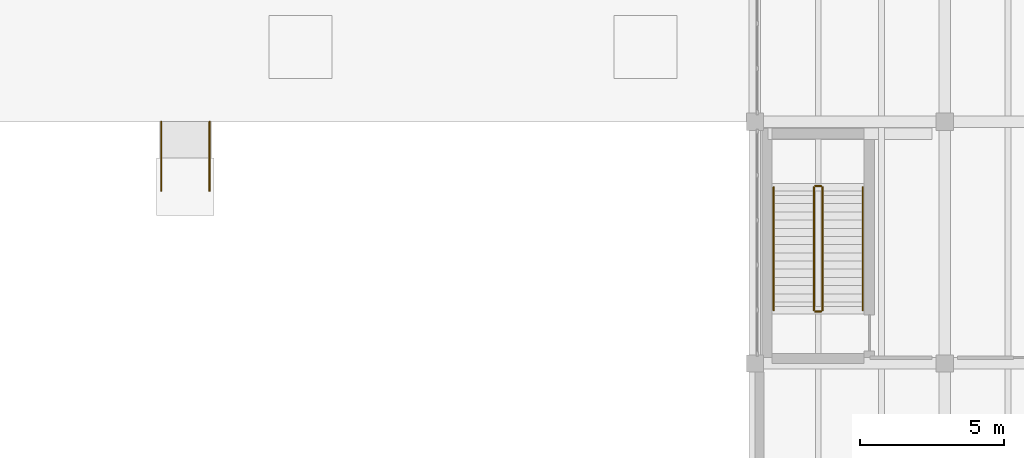
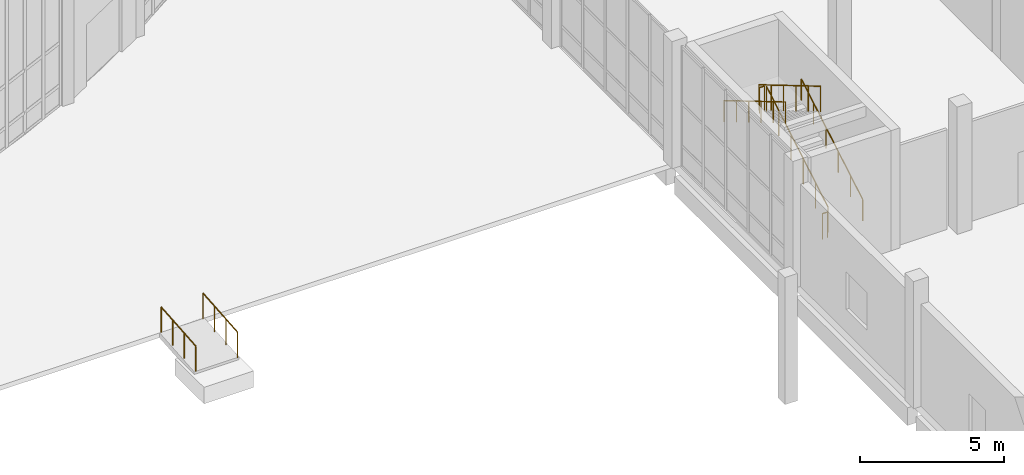
# One storey, part 64 of 64: 8 railings.
"""IFC4 building model written with IfcOpenShell, lengths in metres."""

import ifcopenshell
import ifcopenshell.guid

model = None  # the IFC model being written
_history = None  # IfcOwnerHistory: only IFC2X3 demands one
_inside = {}  # id of a spatial element -> (the spatial element, [elements in it])
_under = {}  # id of a project, library or spatial element -> (it, [spatial elements below it])
_declared = {}  # id of a project -> (the project, [libraries it declares])
_typed = {}  # id of a type object -> (the type object, [elements of that type])
_made_of = {}  # id of a material, layer set ... -> (it, [elements and type objects made of it])


def new_model(schema):
    """Start an empty IFC model of exactly this schema.

    Asked for "IFC4X3", IfcOpenShell would pick the latest addendum, in which some entities
    have other attributes; the version numbers below select the first issue.
    IFC2X3 requires an IfcOwnerHistory on every rooted entity: one is made here for all.
    """
    global model, _history
    if schema == "IFC4X3":
        model = ifcopenshell.file(schema_version=(4, 3, 0, 0))
    else:
        model = ifcopenshell.file(schema=schema)
    _inside.clear()
    _under.clear()
    _declared.clear()
    _typed.clear()
    _made_of.clear()
    _history = None
    if model.schema == "IFC2X3":
        org = make("IfcOrganization", Name="unknown")
        user = make(
            "IfcPersonAndOrganization",
            ThePerson=make("IfcPerson", FamilyName="unknown"),
            TheOrganization=org,
        )
        app = make(
            "IfcApplication",
            ApplicationDeveloper=org,
            Version="unknown",
            ApplicationFullName="unknown",
            ApplicationIdentifier="unknown",
        )
        _history = make(
            "IfcOwnerHistory",
            OwningUser=user,
            OwningApplication=app,
            ChangeAction="ADDED",
            CreationDate=0,
        )
    return model


def make(cls, **values):
    """One entity of the class cls with the attributes given. An attribute that is None is left unset."""
    return model.create_entity(
        cls, **{name: value for name, value in values.items() if value is not None}
    )


def rooted(cls, **values):
    """An entity with a GlobalId (a new one), such as an element, a storey or a relation."""
    return make(cls, GlobalId=ifcopenshell.guid.new(), OwnerHistory=_history, **values)


def si_unit(unit_type, name, prefix=None):
    """IfcSIUnit, for example si_unit("LENGTHUNIT", "METRE", prefix="MILLI")."""
    return make("IfcSIUnit", UnitType=unit_type, Prefix=prefix, Name=name)


def assignment(units):
    """IfcUnitAssignment: the units of a project."""
    return None if units is None else make("IfcUnitAssignment", Units=units)


def point(xyz):
    """IfcCartesianPoint."""
    return None if xyz is None else make("IfcCartesianPoint", Coordinates=xyz)


def direction(xyz):
    """IfcDirection."""
    return None if xyz is None else make("IfcDirection", DirectionRatios=xyz)


def frame(location, z_axis=None, x_axis=None):
    """IfcAxis2Placement3D, a coordinate frame: its origin and axes. An axis left out is left unset."""
    return make(
        "IfcAxis2Placement3D",
        Location=point(location),
        Axis=direction(z_axis),
        RefDirection=direction(x_axis),
    )


def frame_2d(location, x_axis=None):
    """IfcAxis2Placement2D, a coordinate frame in the plane: its origin and x axis."""
    return make(
        "IfcAxis2Placement2D", Location=point(location), RefDirection=direction(x_axis)
    )


def origin():
    """The frame at (0, 0, 0) with its axes left unset."""
    return frame((0.0, 0.0, 0.0))


def origin_2d():
    """The frame at (0, 0) in the plane with its x axis left unset."""
    return frame_2d((0.0, 0.0))


def place(relative_to, where):
    """IfcLocalPlacement: puts the frame where relative to a parent placement (None: the world)."""
    return make(
        "IfcLocalPlacement", PlacementRelTo=relative_to, RelativePlacement=where
    )


def context(
    kind, dimensions, precision=None, world=None, true_north=None, identifier=None
):
    """IfcGeometricRepresentationContext, for example the 3D "Model" context."""
    return make(
        "IfcGeometricRepresentationContext",
        ContextIdentifier=identifier,
        ContextType=kind,
        CoordinateSpaceDimension=dimensions,
        Precision=precision,
        WorldCoordinateSystem=world,
        TrueNorth=true_north,
    )


def subcontext(parent, identifier, kind, view, scale=None):
    """IfcGeometricRepresentationSubContext, for example "Body" below "Model"."""
    return make(
        "IfcGeometricRepresentationSubContext",
        ContextIdentifier=identifier,
        ContextType=kind,
        ParentContext=parent,
        TargetScale=scale,
        TargetView=view,
    )


def project(units=None, contexts=None):
    """IfcProject with its units and contexts."""
    return rooted(
        "IfcProject",
        Name="project",
        RepresentationContexts=contexts,
        UnitsInContext=assignment(units),
    )


def spatial(cls, under=None, at=None, **own):
    """A site, building, storey or space (cls), placed at a placement, below another one or the project."""
    s = rooted(cls, ObjectPlacement=at, **own)
    if under is not None:
        _under.setdefault(under.id(), (under, []))[1].append(s)
    return s


def profile(cls, at=None, kind="AREA", **sizes):
    """A parametric profile (cls). Its sizes go by their IFC names, for example OverallWidth=200.0."""
    return make(cls, ProfileType=kind, Position=at, **sizes)


def circle(**sizes):
    """IfcCircleProfileDef."""
    return profile("IfcCircleProfileDef", **sizes)


def extrude(swept, where, along, depth):
    """IfcExtrudedAreaSolid: the profile swept, set in the frame where, extruded along a direction by depth."""
    return make(
        "IfcExtrudedAreaSolid",
        SweptArea=swept,
        Position=where,
        ExtrudedDirection=direction(along),
        Depth=depth,
    )


def shape(context_of_items, identifier, shape_type, items):
    """IfcShapeRepresentation: the items that make up one representation, for example the "Body"."""
    return make(
        "IfcShapeRepresentation",
        ContextOfItems=context_of_items,
        RepresentationIdentifier=identifier,
        RepresentationType=shape_type,
        Items=items,
    )


def material(Name=None, Category=None):
    """IfcMaterial."""
    return make("IfcMaterial", Name=Name, Category=Category)


def made_of(thing, what):
    """Note that an element or type object is made of a material, layer set ...; save() writes the relation."""
    if what is not None:
        _made_of.setdefault(what.id(), (what, []))[1].append(thing)
    return thing


def type_object(cls, material=None, **own):
    """A type object (cls), such as IfcWallType, which elements share."""
    return made_of(rooted(cls, **own), material)


def element(
    cls,
    number,
    at=None,
    inside=None,
    cuts=None,
    type_object=None,
    material=None,
    context=None,
    identifier="Body",
    shape_type=None,
    held_by="IfcProductDefinitionShape",
    body=None,
    shapes=None,
    **own,
):
    """One element of the class cls, such as IfcWall. Its Tag is "e" and its number.

    at: its placement. inside: the storey or other place that contains it. cuts: it is an
    opening in that element (IfcRelVoidsElement). A single representation is given by context,
    identifier, shape_type and body (its items); several are given by shapes. held_by: the class
    of the entity that holds the representations. save() writes the other relations.
    """
    e = rooted(cls, Tag="e%d" % number, ObjectPlacement=at, **own)
    if body is not None:
        shapes = [shape(context, identifier, shape_type, body)]
    if shapes is not None:
        e.Representation = make(held_by, Representations=shapes)
    if inside is not None:
        _inside.setdefault(inside.id(), (inside, []))[1].append(e)
    if cuts is not None:
        rooted(
            "IfcRelVoidsElement", RelatingBuildingElement=cuts, RelatedOpeningElement=e
        )
    if type_object is not None:
        _typed.setdefault(type_object.id(), (type_object, []))[1].append(e)
    return made_of(e, material)


def aggregate(whole, parts):
    """IfcRelAggregates: a whole, such as a stair, and the parts it consists of."""
    return rooted("IfcRelAggregates", RelatingObject=whole, RelatedObjects=parts)


def save(model, path):
    """Write the relations noted so far, then the file.

    IfcRelAggregates (storeys below a building ...), IfcRelContainedInSpatialStructure (elements
    in a storey), IfcRelDefinesByType, IfcRelAssociatesMaterial and IfcRelDeclares: one each for
    every whole, place, type object, material and project.
    """
    for whole, parts in _under.values():
        aggregate(whole, parts)
    for where, things in _inside.values():
        rooted(
            "IfcRelContainedInSpatialStructure",
            RelatedElements=things,
            RelatingStructure=where,
        )
    for kind, things in _typed.values():
        rooted("IfcRelDefinesByType", RelatedObjects=things, RelatingType=kind)
    for what, things in _made_of.values():
        rooted("IfcRelAssociatesMaterial", RelatedObjects=things, RelatingMaterial=what)
    for by, libraries in _declared.values():
        rooted("IfcRelDeclares", RelatingContext=by, RelatedDefinitions=libraries)
    model.write(path)


model = new_model("IFC4")

# Units and contexts
model_context = context("Model", 3, precision=1e-05, world=origin(), true_north=direction((0.0, 1.0)))
body_context = subcontext(model_context, "Body", "Model", "MODEL_VIEW")
ifc_project = project(units=[si_unit("LENGTHUNIT", "METRE"), si_unit("AREAUNIT", "SQUARE_METRE"), si_unit("VOLUMEUNIT", "CUBIC_METRE"), si_unit("PLANEANGLEUNIT", "RADIAN"), si_unit("MASSUNIT", "GRAM", prefix="KILO")], contexts=[model_context])

# Site, building, storey
site_placement = place(None, origin())
site = spatial("IfcSite", under=ifc_project, at=site_placement, CompositionType="ELEMENT")
building_placement = place(site_placement, origin())
building = spatial("IfcBuilding", under=site, at=building_placement, Name="Qaldarim Faculty of Natural and Applied Sciences", CompositionType="ELEMENT")
storey_placement = place(building_placement, origin())
storey = spatial("IfcBuildingStorey", under=building, at=storey_placement, Name="L00", CompositionType="ELEMENT", Elevation=0.0)

# Railings
ifc_material = material(Name="Architectural stainless steel 316", Category="steel")
railing_type_1 = type_object("IfcRailingType", Name="ExteriorGuardBalustrade-1100", PredefinedType="BALUSTRADE", material=ifc_material)
for number, where, name in (
    (1, (131.159912109375, 90.0, -0.199951171875), "Swept portal plaza accessible ramp handrail L"),
    (2, (132.840087890625, 90.0, -0.199951171875), "Swept portal plaza accessible ramp handrail R"),
):
    element("IfcRailing", number, at=place(storey_placement, frame(where)), inside=storey, type_object=railing_type_1, Name=name, PredefinedType="BALUSTRADE", context=body_context, shape_type="SweptSolid", body=[
        extrude(circle(Radius=0.02392578125, at=origin_2d()), frame((0.0, 0.0, 1.076171875), z_axis=(0.0, 0.996547156423, 0.083028700011), x_axis=(-1.0, 0.0, 0.0)), (0.0, 0.0, 1.0), 2.408203125),
        extrude(circle(Radius=0.02099609375, at=origin_2d()), origin(), (0.0, 0.0, 1.0), 1.052001953125),
        extrude(circle(Radius=0.02099609375, at=origin_2d()), frame((0.0, 0.800048828125, 0.066650390625)), (0.0, 0.0, 1.0), 1.052001953125),
        extrude(circle(Radius=0.02099609375, at=origin_2d()), frame((0.0, 1.599853515625, 0.13330078125)), (0.0, 0.0, 1.0), 1.052001953125),
        extrude(circle(Radius=0.02099609375, at=origin_2d()), frame((0.0, 2.39990234375, 0.199951171875)), (0.0, 0.0, 1.0), 1.052001953125),
    ])
railing_type_2 = type_object("IfcRailingType", Name="GuardBalustrade-1100", PredefinedType="BALUSTRADE", material=ifc_material)
railing_1_placement = place(storey_placement, frame((154.14990234375, 85.85009765625, 0.169921875)))
element("IfcRailing", 3, at=railing_1_placement, inside=storey, type_object=railing_type_2, Name="ST-C2 L00 stair well guard 1", PredefinedType="BALUSTRADE", context=body_context, shape_type="SweptSolid", body=[
    extrude(circle(Radius=0.02392578125, at=origin_2d()), frame((0.0, 0.0, 1.076171875), z_axis=(0.0, 0.860578001716, 0.509318665436), x_axis=(-1.0, 0.0, 0.0)), (0.0, 0.0, 1.0), 4.967529296875),
    extrude(circle(Radius=0.02099609375, at=origin_2d()), origin(), (0.0, 0.0, 1.0), 1.052001953125),
    extrude(circle(Radius=0.02099609375, at=origin_2d()), frame((0.0, 0.85498046875, 0.506103515625)), (0.0, 0.0, 1.0), 1.052001953125),
    extrude(circle(Radius=0.02099609375, at=origin_2d()), frame((0.0, 1.7099609375, 1.011962890625)), (0.0, 0.0, 1.0), 1.052001953125),
    extrude(circle(Radius=0.02099609375, at=origin_2d()), frame((0.0, 2.56494140625, 1.51806640625)), (0.0, 0.0, 1.0), 1.052001953125),
    extrude(circle(Radius=0.02099609375, at=origin_2d()), frame((0.0, 3.419921875, 2.02392578125)), (0.0, 0.0, 1.0), 1.052001953125),
    extrude(circle(Radius=0.02099609375, at=origin_2d()), frame((0.0, 4.27490234375, 2.530029296875)), (0.0, 0.0, 1.0), 1.052001953125),
])
railing_2_placement = place(storey_placement, frame((154.10009765625, 90.175048828125, 2.699951171875)))
element("IfcRailing", 4, at=railing_2_placement, inside=storey, type_object=railing_type_2, Name="ST-C2 L00 stair well guard 2", PredefinedType="BALUSTRADE", context=body_context, shape_type="SweptSolid", body=[
    extrude(circle(Radius=0.02392578125, at=origin_2d()), frame((0.0, 0.0, 1.076171875), z_axis=(-1.0, 0.0, 0.0), x_axis=(0.0, -1.0, 0.0)), (0.0, 0.0, 1.0), 0.2001953125),
    extrude(circle(Radius=0.02099609375, at=origin_2d()), origin(), (0.0, 0.0, 1.0), 1.052001953125),
    extrude(circle(Radius=0.02099609375, at=origin_2d()), frame((-0.2001953125, 0.0, 0.0)), (0.0, 0.0, 1.0), 1.052001953125),
])
railing_3_placement = place(storey_placement, frame((153.85009765625, 90.125, 2.8701171875)))
element("IfcRailing", 5, at=railing_3_placement, inside=storey, type_object=railing_type_2, Name="ST-C2 L00 stair well guard 3", PredefinedType="BALUSTRADE", context=body_context, shape_type="SweptSolid", body=[
    extrude(circle(Radius=0.02392578125, at=origin_2d()), frame((0.0, 0.0, 1.076171875), z_axis=(0.0, -0.860599543382, 0.509282265478), x_axis=(1.0, 0.0, 0.0)), (0.0, 0.0, 1.0), 4.96728515625),
    extrude(circle(Radius=0.02099609375, at=origin_2d()), origin(), (0.0, 0.0, 1.0), 1.052001953125),
    extrude(circle(Radius=0.02099609375, at=origin_2d()), frame((0.0, -0.85498046875, 0.505859375)), (0.0, 0.0, 1.0), 1.052001953125),
    extrude(circle(Radius=0.02099609375, at=origin_2d()), frame((0.0, -1.7099609375, 1.011962890625)), (0.0, 0.0, 1.0), 1.052001953125),
    extrude(circle(Radius=0.02099609375, at=origin_2d()), frame((0.0, -2.56494140625, 1.517822265625)), (0.0, 0.0, 1.0), 1.052001953125),
    extrude(circle(Radius=0.02099609375, at=origin_2d()), frame((0.0, -3.419921875, 2.02392578125)), (0.0, 0.0, 1.0), 1.052001953125),
    extrude(circle(Radius=0.02099609375, at=origin_2d()), frame((0.0, -4.27490234375, 2.52978515625)), (0.0, 0.0, 1.0), 1.052001953125),
])
railing_4_placement = place(storey_placement, frame((154.10009765625, 85.800048828125, 0.0)))
element("IfcRailing", 6, at=railing_4_placement, inside=storey, type_object=railing_type_2, Name="ST-C2 L00 stair well guard 4", PredefinedType="BALUSTRADE", context=body_context, shape_type="SweptSolid", body=[
    extrude(circle(Radius=0.02392578125, at=origin_2d()), frame((0.0, 0.0, 1.076171875), z_axis=(-1.0, 0.0, 0.0), x_axis=(0.0, -1.0, 0.0)), (0.0, 0.0, 1.0), 0.2001953125),
    extrude(circle(Radius=0.02099609375, at=origin_2d()), origin(), (0.0, 0.0, 1.0), 1.052001953125),
    extrude(circle(Radius=0.02099609375, at=origin_2d()), frame((-0.2001953125, 0.0, 0.0)), (0.0, 0.0, 1.0), 1.052001953125),
])
railing_type_3 = type_object("IfcRailingType", Name="StairHandrail-920", PredefinedType="HANDRAIL", material=ifc_material)
railing_5_placement = place(storey_placement, frame((155.550048828125, 85.85009765625, 0.169921875)))
element("IfcRailing", 7, at=railing_5_placement, inside=storey, type_object=railing_type_3, Name="ST-C2 L00 stair handrail 1", PredefinedType="HANDRAIL", context=body_context, shape_type="SweptSolid", body=[
    extrude(circle(Radius=0.02392578125, at=origin_2d()), frame((0.0, 0.0, 0.89599609375), z_axis=(0.0, 0.860578001716, 0.509318665436), x_axis=(-1.0, 0.0, 0.0)), (0.0, 0.0, 1.0), 4.967529296875),
    extrude(circle(Radius=0.02099609375, at=origin_2d()), origin(), (0.0, 0.0, 1.0), 0.871826171875),
    extrude(circle(Radius=0.02099609375, at=origin_2d()), frame((0.0, 0.85498046875, 0.506103515625)), (0.0, 0.0, 1.0), 0.871826171875),
    extrude(circle(Radius=0.02099609375, at=origin_2d()), frame((0.0, 1.7099609375, 1.011962890625)), (0.0, 0.0, 1.0), 0.871826171875),
    extrude(circle(Radius=0.02099609375, at=origin_2d()), frame((0.0, 2.56494140625, 1.51806640625)), (0.0, 0.0, 1.0), 0.871826171875),
    extrude(circle(Radius=0.02099609375, at=origin_2d()), frame((0.0, 3.419921875, 2.02392578125)), (0.0, 0.0, 1.0), 0.871826171875),
    extrude(circle(Radius=0.02099609375, at=origin_2d()), frame((0.0, 4.27490234375, 2.530029296875)), (0.0, 0.0, 1.0), 0.871826171875),
])
railing_6_placement = place(storey_placement, frame((152.449951171875, 90.125, 2.8701171875)))
element("IfcRailing", 8, at=railing_6_placement, inside=storey, type_object=railing_type_3, Name="ST-C2 L00 stair handrail 2", PredefinedType="HANDRAIL", context=body_context, shape_type="SweptSolid", body=[
    extrude(circle(Radius=0.02392578125, at=origin_2d()), frame((0.0, 0.0, 0.89599609375), z_axis=(0.0, -0.860599543382, 0.509282265478), x_axis=(1.0, 0.0, 0.0)), (0.0, 0.0, 1.0), 4.96728515625),
    extrude(circle(Radius=0.02099609375, at=origin_2d()), origin(), (0.0, 0.0, 1.0), 0.871826171875),
    extrude(circle(Radius=0.02099609375, at=origin_2d()), frame((0.0, -0.85498046875, 0.505859375)), (0.0, 0.0, 1.0), 0.871826171875),
    extrude(circle(Radius=0.02099609375, at=origin_2d()), frame((0.0, -1.7099609375, 1.011962890625)), (0.0, 0.0, 1.0), 0.871826171875),
    extrude(circle(Radius=0.02099609375, at=origin_2d()), frame((0.0, -2.56494140625, 1.517822265625)), (0.0, 0.0, 1.0), 0.871826171875),
    extrude(circle(Radius=0.02099609375, at=origin_2d()), frame((0.0, -3.419921875, 2.02392578125)), (0.0, 0.0, 1.0), 0.871826171875),
    extrude(circle(Radius=0.02099609375, at=origin_2d()), frame((0.0, -4.27490234375, 2.52978515625)), (0.0, 0.0, 1.0), 0.871826171875),
])

save(model, "model.ifc")
